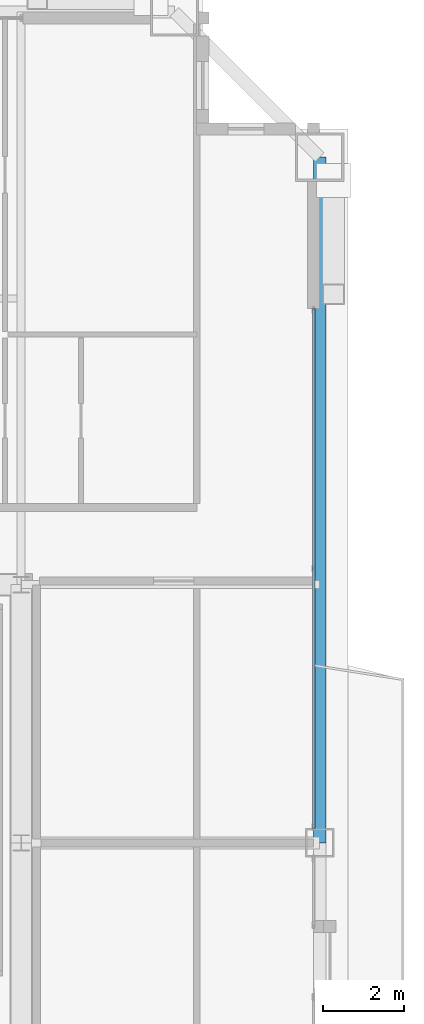
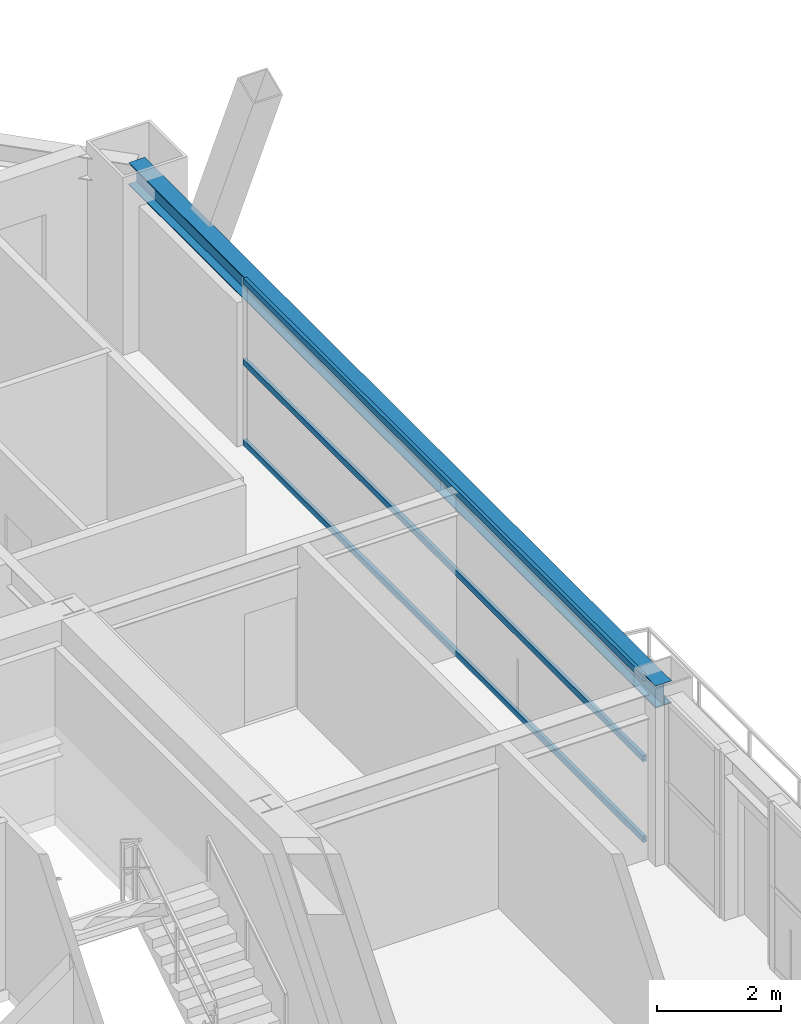
# One storey, part 19 of 35: 3 members, 1 beam, 1 element without a shape of its own.
"""IFC4 building model written with IfcOpenShell, lengths in metres."""

from ifc_helpers import new_model, si_unit, direction, frame, origin, origin_2d, place, context, subcontext, project, spatial, hollow_rectangle, i_section, extrude, source, transform, mapped, material, layer, layer_set, material_profile, profile_set, type_object, element, aggregate, save


model = new_model("IFC4")

# Units and contexts
model_context = context("Model", 3, precision=1e-05, world=origin(), true_north=direction((0.0, 1.0)))
body_context = subcontext(model_context, "Body", "Model", "MODEL_VIEW")
ifc_project = project(units=[si_unit("LENGTHUNIT", "METRE"), si_unit("AREAUNIT", "SQUARE_METRE"), si_unit("VOLUMEUNIT", "CUBIC_METRE"), si_unit("PLANEANGLEUNIT", "RADIAN"), si_unit("MASSUNIT", "GRAM", prefix="KILO"), si_unit("THERMODYNAMICTEMPERATUREUNIT", "KELVIN"), si_unit("POWERUNIT", "WATT")], contexts=[model_context])

# Site, building, storey
site_placement = place(None, origin())
site = spatial("IfcSite", under=ifc_project, at=site_placement, CompositionType="ELEMENT")
building_placement = place(site_placement, origin())
building = spatial("IfcBuilding", under=site, at=building_placement, Name="Yuzanri Waterfront Tower", CompositionType="ELEMENT")
storey_placement = place(building_placement, frame((0.0, 0.0, 248.60009765625)))
storey = spatial("IfcBuildingStorey", under=building, at=storey_placement, Name="L66", CompositionType="ELEMENT", Elevation=248.60009765625)

# Beam
ifc_material_1 = material(Name="Steel Q355B", Category="steel")
ifc_material_profile_1 = material_profile(ifc_material_1, i_section(OverallWidth=0.300048828125, OverallDepth=0.43994140625, WebThickness=0.010986328125, FlangeThickness=0.01806640625, at=origin_2d()), Name="HM 440x300x11x18")
ifc_profile_set_1 = profile_set([ifc_material_profile_1], Name="Steel Q355B")
beam_type = type_object("IfcBeamType", Name="Perimeter Spandrel Q355B HM 440x300", PredefinedType="SPANDREL", material=ifc_profile_set_1)
shared_shape_1 = source(origin(), body_context, "Body", "SweptSolid", [
    extrude(i_section(OverallWidth=0.300048828125, OverallDepth=0.43994140625, WebThickness=0.010986328125, FlangeThickness=0.01806640625, at=origin_2d()), origin(), (0.0, 0.0, 1.0), 17.0),
])
beam_placement = place(storey_placement, frame((57.60009765625, 25.800048828125, 3.059814453125), z_axis=(0.0, 1.0, 0.0), x_axis=(-1.0, 0.0, 0.0)))
element("IfcBeam", 1, at=beam_placement, inside=storey, type_object=beam_type, Name="L66 Perimeter Spandrel E2-E3", PredefinedType="SPANDREL", context=body_context, shape_type="MappedRepresentation", body=[
    mapped(shared_shape_1, transform((0.0, 0.0, 0.0), scale=1.0)),
])

# Curtain wall, members
ifc_material_2 = material(Name="Anodized Architectural Bronze", Category="metal")
ifc_layer = layer(ifc_material_2, 0.159912109375)
ifc_layer_set = layer_set([ifc_layer], Name="Anodized Architectural Bronze")
curtain_wall_type = type_object("IfcCurtainWallType", Name="Anodized Bronze Mid-Rise Residential Acoustic Unitized Curtain Wall 7200", PredefinedType="NOTDEFINED", material=ifc_layer_set)
curtain_wall_placement = place(storey_placement, origin())
curtain_wall = element("IfcCurtainWall", 2, at=curtain_wall_placement, inside=storey, type_object=curtain_wall_type, Name="L66 Curtain Wall CW-L66-ER", PredefinedType="NOTDEFINED")
ifc_material_3 = material(Name="Anodized Architectural Bronze", Category="metal")
ifc_material_profile_2 = material_profile(ifc_material_3, hollow_rectangle(XDim=0.06494140625, YDim=0.1201171875, WallThickness=0.00341796875, at=origin_2d()), Name="CWT 65x120")
ifc_profile_set_2 = profile_set([ifc_material_profile_2], Name="Anodized Architectural Bronze")
member_type = type_object("IfcMemberType", Name="Anodized Bronze Secondary Curtain-Wall Transom 65x120", PredefinedType="USERDEFINED", material=ifc_profile_set_2)
shared_shape_2 = source(origin(), body_context, "Body", "SweptSolid", [
    extrude(hollow_rectangle(XDim=0.06494140625, YDim=0.1201171875, WallThickness=0.00341796875, at=origin_2d()), origin(), (0.0, 0.0, 1.0), 12.900146484375),
])
member_1_placement = place(storey_placement, frame((57.449951171875, 26.14990234375, 0.0498046875), z_axis=(0.0, 1.0, 0.0), x_axis=(-1.0, 0.0, 0.0)))
member_1 = element("IfcMember", 3, at=member_1_placement, type_object=member_type, Name="CW-L66-ER Transom 1", ObjectType="TRANSOM", PredefinedType="USERDEFINED", context=body_context, shape_type="MappedRepresentation", body=[
    mapped(shared_shape_2, transform((0.0, 0.0, 0.0), scale=1.0)),
])
member_2_placement = place(storey_placement, frame((57.449951171875, 26.14990234375, 1.639892578125), z_axis=(0.0, 1.0, 0.0), x_axis=(-1.0, 0.0, 0.0)))
member_2 = element("IfcMember", 4, at=member_2_placement, type_object=member_type, Name="CW-L66-ER Transom 2", ObjectType="TRANSOM", PredefinedType="USERDEFINED", context=body_context, shape_type="MappedRepresentation", body=[
    mapped(shared_shape_2, transform((0.0, 0.0, 0.0), scale=1.0)),
])
member_3_placement = place(storey_placement, frame((57.449951171875, 26.14990234375, 3.22998046875), z_axis=(0.0, 1.0, 0.0), x_axis=(-1.0, 0.0, 0.0)))
member_3 = element("IfcMember", 5, at=member_3_placement, type_object=member_type, Name="CW-L66-ER Transom 3", ObjectType="TRANSOM", PredefinedType="USERDEFINED", context=body_context, shape_type="MappedRepresentation", body=[
    mapped(shared_shape_2, transform((0.0, 0.0, 0.0), scale=1.0)),
])
aggregate(curtain_wall, [member_1, member_2, member_3])

save(model, "model.ifc")
